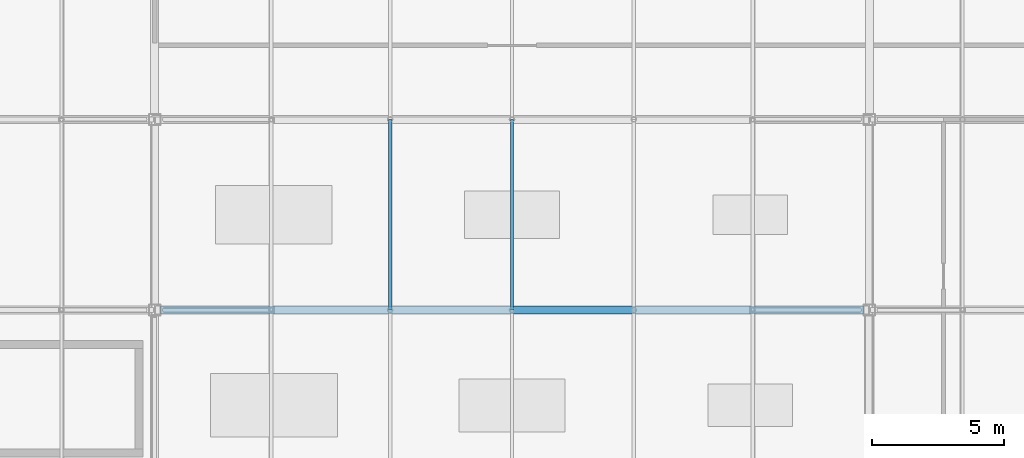
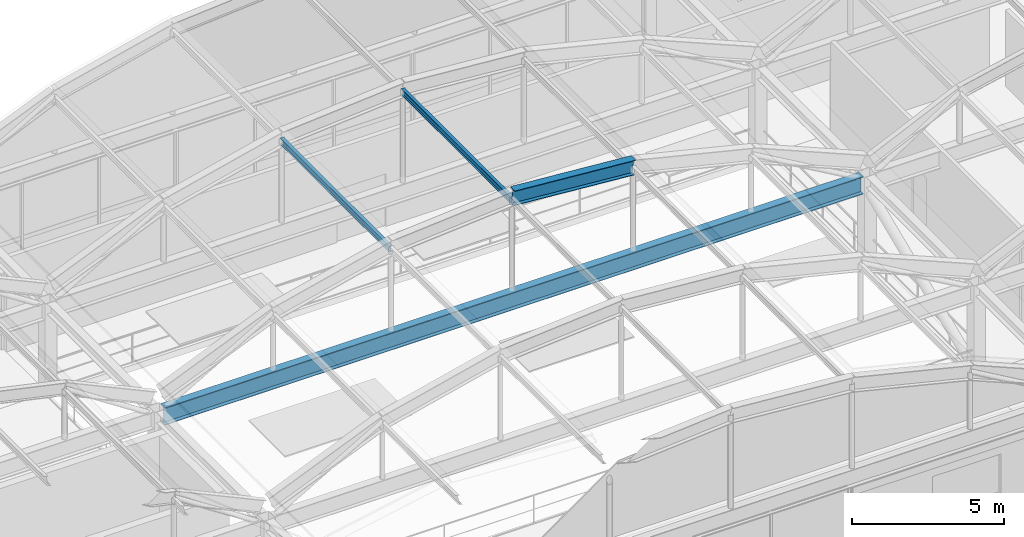
# One storey, part 39 of 106: 3 members, 1 beam.
"""IFC4 building model written with IfcOpenShell, lengths in metres."""

import ifcopenshell
import ifcopenshell.guid

model = None  # the IFC model being written
_history = None  # IfcOwnerHistory: only IFC2X3 demands one
_inside = {}  # id of a spatial element -> (the spatial element, [elements in it])
_under = {}  # id of a project, library or spatial element -> (it, [spatial elements below it])
_declared = {}  # id of a project -> (the project, [libraries it declares])
_typed = {}  # id of a type object -> (the type object, [elements of that type])
_made_of = {}  # id of a material, layer set ... -> (it, [elements and type objects made of it])


def new_model(schema):
    """Start an empty IFC model of exactly this schema.

    Asked for "IFC4X3", IfcOpenShell would pick the latest addendum, in which some entities
    have other attributes; the version numbers below select the first issue.
    IFC2X3 requires an IfcOwnerHistory on every rooted entity: one is made here for all.
    """
    global model, _history
    if schema == "IFC4X3":
        model = ifcopenshell.file(schema_version=(4, 3, 0, 0))
    else:
        model = ifcopenshell.file(schema=schema)
    _inside.clear()
    _under.clear()
    _declared.clear()
    _typed.clear()
    _made_of.clear()
    _history = None
    if model.schema == "IFC2X3":
        org = make("IfcOrganization", Name="unknown")
        user = make(
            "IfcPersonAndOrganization",
            ThePerson=make("IfcPerson", FamilyName="unknown"),
            TheOrganization=org,
        )
        app = make(
            "IfcApplication",
            ApplicationDeveloper=org,
            Version="unknown",
            ApplicationFullName="unknown",
            ApplicationIdentifier="unknown",
        )
        _history = make(
            "IfcOwnerHistory",
            OwningUser=user,
            OwningApplication=app,
            ChangeAction="ADDED",
            CreationDate=0,
        )
    return model


def make(cls, **values):
    """One entity of the class cls with the attributes given. An attribute that is None is left unset."""
    return model.create_entity(
        cls, **{name: value for name, value in values.items() if value is not None}
    )


def rooted(cls, **values):
    """An entity with a GlobalId (a new one), such as an element, a storey or a relation."""
    return make(cls, GlobalId=ifcopenshell.guid.new(), OwnerHistory=_history, **values)


def si_unit(unit_type, name, prefix=None):
    """IfcSIUnit, for example si_unit("LENGTHUNIT", "METRE", prefix="MILLI")."""
    return make("IfcSIUnit", UnitType=unit_type, Prefix=prefix, Name=name)


def assignment(units):
    """IfcUnitAssignment: the units of a project."""
    return None if units is None else make("IfcUnitAssignment", Units=units)


def point(xyz):
    """IfcCartesianPoint."""
    return None if xyz is None else make("IfcCartesianPoint", Coordinates=xyz)


def direction(xyz):
    """IfcDirection."""
    return None if xyz is None else make("IfcDirection", DirectionRatios=xyz)


def frame(location, z_axis=None, x_axis=None):
    """IfcAxis2Placement3D, a coordinate frame: its origin and axes. An axis left out is left unset."""
    return make(
        "IfcAxis2Placement3D",
        Location=point(location),
        Axis=direction(z_axis),
        RefDirection=direction(x_axis),
    )


def frame_2d(location, x_axis=None):
    """IfcAxis2Placement2D, a coordinate frame in the plane: its origin and x axis."""
    return make(
        "IfcAxis2Placement2D", Location=point(location), RefDirection=direction(x_axis)
    )


def origin():
    """The frame at (0, 0, 0) with its axes left unset."""
    return frame((0.0, 0.0, 0.0))


def origin_2d():
    """The frame at (0, 0) in the plane with its x axis left unset."""
    return frame_2d((0.0, 0.0))


def place(relative_to, where):
    """IfcLocalPlacement: puts the frame where relative to a parent placement (None: the world)."""
    return make(
        "IfcLocalPlacement", PlacementRelTo=relative_to, RelativePlacement=where
    )


def context(
    kind, dimensions, precision=None, world=None, true_north=None, identifier=None
):
    """IfcGeometricRepresentationContext, for example the 3D "Model" context."""
    return make(
        "IfcGeometricRepresentationContext",
        ContextIdentifier=identifier,
        ContextType=kind,
        CoordinateSpaceDimension=dimensions,
        Precision=precision,
        WorldCoordinateSystem=world,
        TrueNorth=true_north,
    )


def subcontext(parent, identifier, kind, view, scale=None):
    """IfcGeometricRepresentationSubContext, for example "Body" below "Model"."""
    return make(
        "IfcGeometricRepresentationSubContext",
        ContextIdentifier=identifier,
        ContextType=kind,
        ParentContext=parent,
        TargetScale=scale,
        TargetView=view,
    )


def project(units=None, contexts=None):
    """IfcProject with its units and contexts."""
    return rooted(
        "IfcProject",
        Name="project",
        RepresentationContexts=contexts,
        UnitsInContext=assignment(units),
    )


def spatial(cls, under=None, at=None, **own):
    """A site, building, storey or space (cls), placed at a placement, below another one or the project."""
    s = rooted(cls, ObjectPlacement=at, **own)
    if under is not None:
        _under.setdefault(under.id(), (under, []))[1].append(s)
    return s


def profile(cls, at=None, kind="AREA", **sizes):
    """A parametric profile (cls). Its sizes go by their IFC names, for example OverallWidth=200.0."""
    return make(cls, ProfileType=kind, Position=at, **sizes)


def i_section(**sizes):
    """IfcIShapeProfileDef."""
    return profile("IfcIShapeProfileDef", **sizes)


def extrude(swept, where, along, depth):
    """IfcExtrudedAreaSolid: the profile swept, set in the frame where, extruded along a direction by depth."""
    return make(
        "IfcExtrudedAreaSolid",
        SweptArea=swept,
        Position=where,
        ExtrudedDirection=direction(along),
        Depth=depth,
    )


def shape(context_of_items, identifier, shape_type, items):
    """IfcShapeRepresentation: the items that make up one representation, for example the "Body"."""
    return make(
        "IfcShapeRepresentation",
        ContextOfItems=context_of_items,
        RepresentationIdentifier=identifier,
        RepresentationType=shape_type,
        Items=items,
    )


def material(Name=None, Category=None):
    """IfcMaterial."""
    return make("IfcMaterial", Name=Name, Category=Category)


def material_profile(
    of_material, cross_section, Name=None, Category=None, Priority=None
):
    """IfcMaterialProfile: a cross section and its material."""
    return make(
        "IfcMaterialProfile",
        Name=Name,
        Material=of_material,
        Profile=cross_section,
        Priority=Priority,
        Category=Category,
    )


def profile_set(profiles, Name=None, composite=None):
    """IfcMaterialProfileSet."""
    return make(
        "IfcMaterialProfileSet",
        Name=Name,
        MaterialProfiles=profiles,
        CompositeProfile=composite,
    )


def made_of(thing, what):
    """Note that an element or type object is made of a material, layer set ...; save() writes the relation."""
    if what is not None:
        _made_of.setdefault(what.id(), (what, []))[1].append(thing)
    return thing


def type_object(cls, material=None, **own):
    """A type object (cls), such as IfcWallType, which elements share."""
    return made_of(rooted(cls, **own), material)


def element(
    cls,
    number,
    at=None,
    inside=None,
    cuts=None,
    type_object=None,
    material=None,
    context=None,
    identifier="Body",
    shape_type=None,
    held_by="IfcProductDefinitionShape",
    body=None,
    shapes=None,
    **own,
):
    """One element of the class cls, such as IfcWall. Its Tag is "e" and its number.

    at: its placement. inside: the storey or other place that contains it. cuts: it is an
    opening in that element (IfcRelVoidsElement). A single representation is given by context,
    identifier, shape_type and body (its items); several are given by shapes. held_by: the class
    of the entity that holds the representations. save() writes the other relations.
    """
    e = rooted(cls, Tag="e%d" % number, ObjectPlacement=at, **own)
    if body is not None:
        shapes = [shape(context, identifier, shape_type, body)]
    if shapes is not None:
        e.Representation = make(held_by, Representations=shapes)
    if inside is not None:
        _inside.setdefault(inside.id(), (inside, []))[1].append(e)
    if cuts is not None:
        rooted(
            "IfcRelVoidsElement", RelatingBuildingElement=cuts, RelatedOpeningElement=e
        )
    if type_object is not None:
        _typed.setdefault(type_object.id(), (type_object, []))[1].append(e)
    return made_of(e, material)


def aggregate(whole, parts):
    """IfcRelAggregates: a whole, such as a stair, and the parts it consists of."""
    return rooted("IfcRelAggregates", RelatingObject=whole, RelatedObjects=parts)


def save(model, path):
    """Write the relations noted so far, then the file.

    IfcRelAggregates (storeys below a building ...), IfcRelContainedInSpatialStructure (elements
    in a storey), IfcRelDefinesByType, IfcRelAssociatesMaterial and IfcRelDeclares: one each for
    every whole, place, type object, material and project.
    """
    for whole, parts in _under.values():
        aggregate(whole, parts)
    for where, things in _inside.values():
        rooted(
            "IfcRelContainedInSpatialStructure",
            RelatedElements=things,
            RelatingStructure=where,
        )
    for kind, things in _typed.values():
        rooted("IfcRelDefinesByType", RelatedObjects=things, RelatingType=kind)
    for what, things in _made_of.values():
        rooted("IfcRelAssociatesMaterial", RelatedObjects=things, RelatingMaterial=what)
    for by, libraries in _declared.values():
        rooted("IfcRelDeclares", RelatingContext=by, RelatedDefinitions=libraries)
    model.write(path)


model = new_model("IFC4")

# Units and contexts
model_context = context("Model", 3, precision=1e-05, world=origin(), true_north=direction((0.0, 1.0)))
body_context = subcontext(model_context, "Body", "Model", "MODEL_VIEW")
ifc_project = project(units=[si_unit("LENGTHUNIT", "METRE"), si_unit("AREAUNIT", "SQUARE_METRE"), si_unit("VOLUMEUNIT", "CUBIC_METRE"), si_unit("PLANEANGLEUNIT", "RADIAN"), si_unit("MASSUNIT", "GRAM", prefix="KILO")], contexts=[model_context])

# Site, building, storey
site_placement = place(None, origin())
site = spatial("IfcSite", under=ifc_project, at=site_placement, CompositionType="ELEMENT")
building_placement = place(site_placement, origin())
building = spatial("IfcBuilding", under=site, at=building_placement, Name="Kazanami Central Library", CompositionType="ELEMENT")
storey_placement = place(building_placement, frame((0.0, 0.0, 12.800048828125)))
storey = spatial("IfcBuildingStorey", under=building, at=storey_placement, Name="L04", CompositionType="ELEMENT", Elevation=12.800048828125)

# Beam
ifc_material_1 = material(Name="Steel SN490B (325 MPa)", Category="steel")
ifc_material_profile_1 = material_profile(ifc_material_1, i_section(OverallWidth=0.300048828125, OverallDepth=0.699951171875, WebThickness=0.012939453125, FlangeThickness=0.02392578125, at=origin_2d()), Name="H-700x300x13x24")
ifc_profile_set_1 = profile_set([ifc_material_profile_1], Name="Steel SN490B (325 MPa)")
beam_type = type_object("IfcBeamType", Name="BM-G-AT", PredefinedType="BEAM", material=ifc_profile_set_1)
beam_placement = place(storey_placement, frame((63.222900390625, 79.199951171875, 3.429931640625), z_axis=(1.0, 0.0, 0.0), x_axis=(0.0, 1.0, 0.0)))
element("IfcBeam", 1, at=beam_placement, inside=storey, type_object=beam_type, Name="Barrel Vault Springing Tie Girder G-AT L04 C Grid M", PredefinedType="BEAM", context=body_context, shape_type="SweptSolid", body=[
    extrude(i_section(OverallWidth=0.300048828125, OverallDepth=0.699951171875, WebThickness=0.012939453125, FlangeThickness=0.02392578125, at=origin_2d()), origin(), (0.0, 0.0, 1.0), 26.55419921875),
])

# Members
ifc_material_profile_2 = material_profile(ifc_material_1, i_section(OverallWidth=0.300048828125, OverallDepth=0.587890625, WebThickness=0.011962890625, FlangeThickness=0.02001953125, at=origin_2d()), Name="H-588x300x12x20")
ifc_profile_set_2 = profile_set([ifc_material_profile_2], Name="Steel SN490B (325 MPa)")
member_type_1 = type_object("IfcMemberType", Name="MEM-AR-01", PredefinedType="CHORD", material=ifc_profile_set_2)
member_placement = place(storey_placement, frame((76.5, 79.199951171875, 7.549072265625), z_axis=(0.99683088961, 0.0, -0.079549842985), x_axis=(0.0, 1.0, 0.0)))
element("IfcMember", 2, at=member_placement, inside=storey, type_object=member_type_1, Name="Barrel Vault Arch Rib AR-01 VAULT-MAIN Grid M Seg 4", PredefinedType="CHORD", context=body_context, shape_type="SweptSolid", body=[
    extrude(i_section(OverallWidth=0.300048828125, OverallDepth=0.587890625, WebThickness=0.011962890625, FlangeThickness=0.02001953125, at=origin_2d()), origin(), (0.0, 0.0, 1.0), 4.618896484375),
])
ifc_material_2 = material(Name="Steel SN400B (235 MPa)", Category="steel")
ifc_material_profile_3 = material_profile(ifc_material_2, i_section(OverallWidth=0.125, OverallDepth=0.25, WebThickness=0.006103515625, FlangeThickness=0.009033203125, at=origin_2d()), Name="H-250x125x6x9")
ifc_profile_set_3 = profile_set([ifc_material_profile_3], Name="Steel SN400B (235 MPa)")
member_type_2 = type_object("IfcMemberType", Name="MEM-PUR-250", PredefinedType="PURLIN", material=ifc_profile_set_3)
for number, where, z_axis, x_axis, name in (
    (3, (71.895751953125, 79.205078125, 7.041748046875), (0.0, 1.0, 0.0), (-1.0, 0.0, 0.0), "Barrel Vault Longitudinal Purlin VAULT-MAIN Knuckle 2.3"),
    (4, (76.5, 79.205078125, 7.408935546875), (0.0, 1.0, 0.0), (-1.0, 0.0, 0.0), "Barrel Vault Longitudinal Purlin VAULT-MAIN Knuckle 3.3"),
):
    element("IfcMember", number, at=place(storey_placement, frame(where, z_axis=z_axis, x_axis=x_axis)), inside=storey, type_object=member_type_2, Name=name, PredefinedType="PURLIN", context=body_context, shape_type="SweptSolid", body=[
        extrude(i_section(OverallWidth=0.125, OverallDepth=0.25, WebThickness=0.006103515625, FlangeThickness=0.009033203125, at=origin_2d()), origin(), (0.0, 0.0, 1.0), 7.18994140625),
    ])

save(model, "model.ifc")
